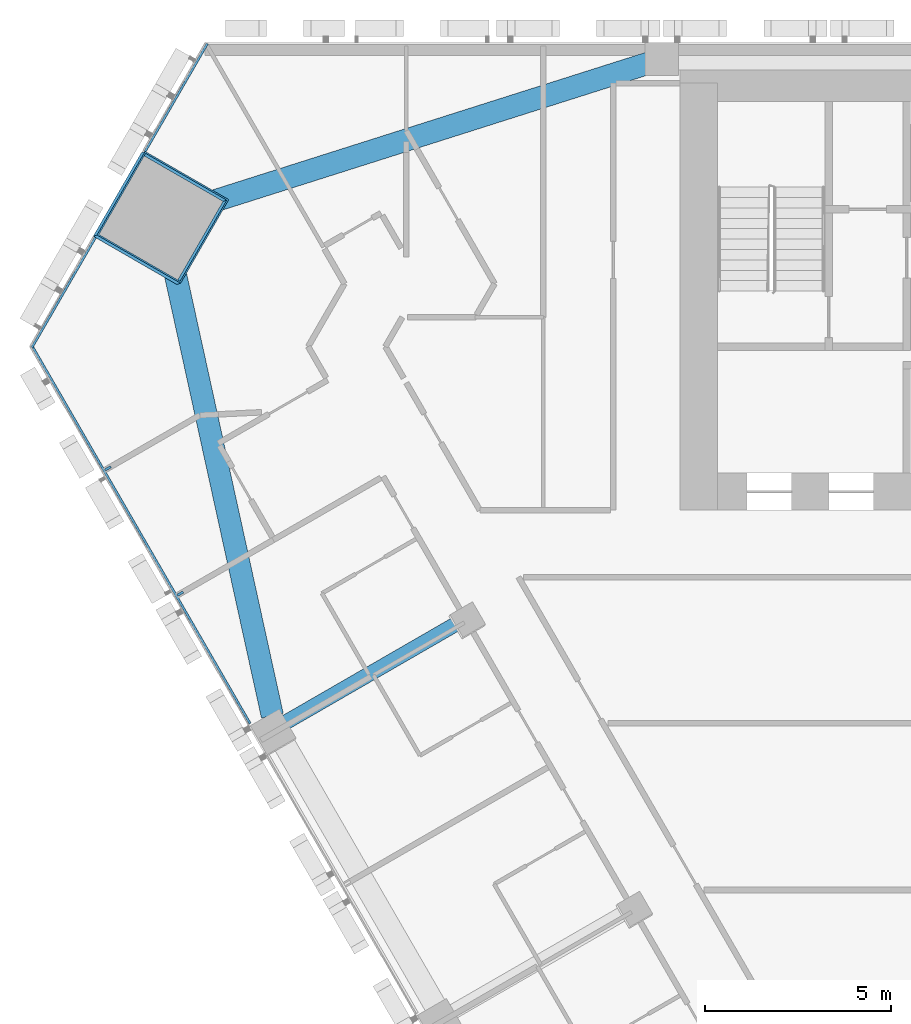
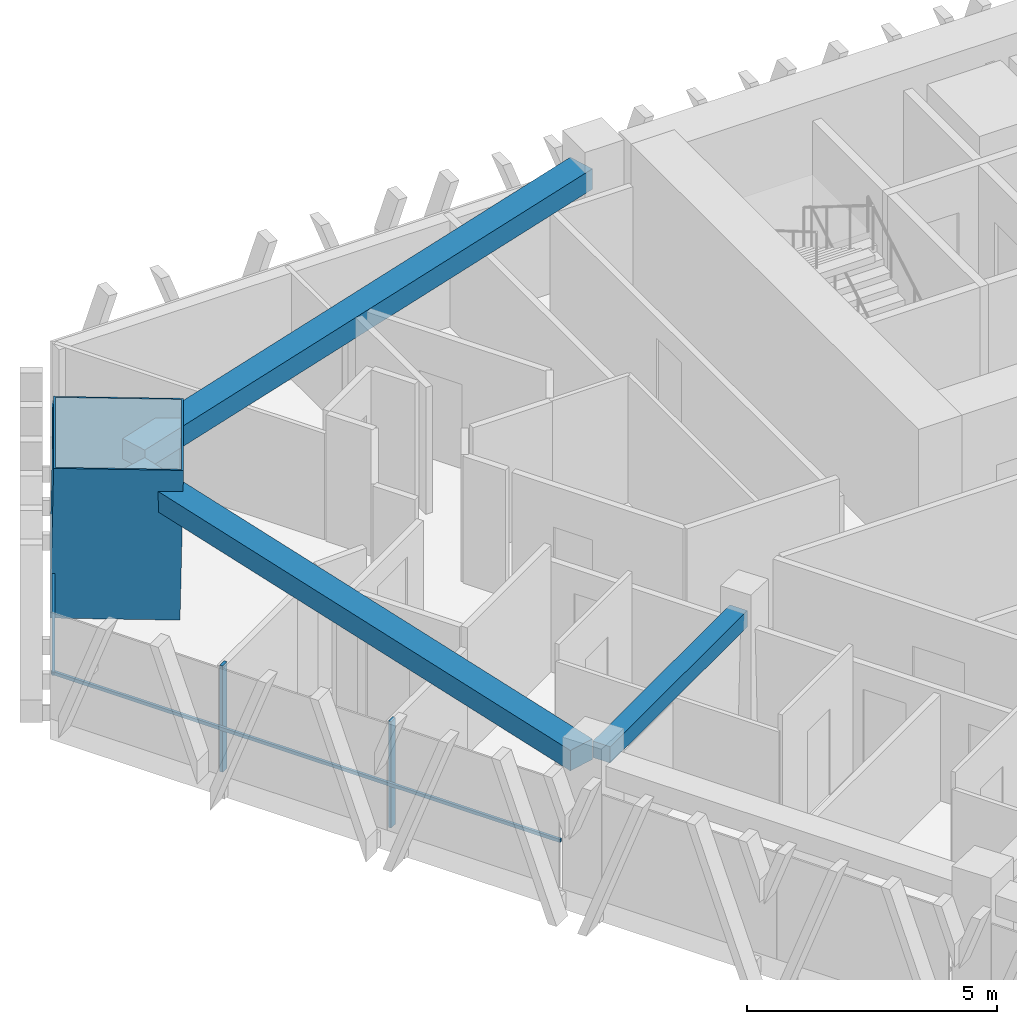
# One storey, part 5 of 17: 6 members, 3 beams, 2 elements without a shape of their own.
"""IFC4 building model written with IfcOpenShell, lengths in metres."""

from ifc_helpers import new_model, si_unit, direction, frame, origin, origin_2d, place, context, subcontext, project, spatial, rectangle, hollow_rectangle, extrude, material, layer, layer_set, material_profile, profile_set, type_object, element, aggregate, save


model = new_model("IFC4")

# Units and contexts
model_context = context("Model", 3, precision=1e-05, world=origin(), true_north=direction((0.0, 1.0)))
body_context = subcontext(model_context, "Body", "Model", "MODEL_VIEW")
ifc_project = project(units=[si_unit("LENGTHUNIT", "METRE"), si_unit("AREAUNIT", "SQUARE_METRE"), si_unit("VOLUMEUNIT", "CUBIC_METRE"), si_unit("PLANEANGLEUNIT", "RADIAN"), si_unit("MASSUNIT", "GRAM", prefix="KILO")], contexts=[model_context])

# Site, building, storey
site_placement = place(None, origin())
site = spatial("IfcSite", under=ifc_project, at=site_placement, CompositionType="ELEMENT")
building_placement = place(site_placement, origin())
building = spatial("IfcBuilding", under=site, at=building_placement, Name="Altiplano Prism Tower", CompositionType="ELEMENT")
storey_placement = place(building_placement, frame((0.0, 0.0, 52.199951171875)))
storey = spatial("IfcBuildingStorey", under=building, at=storey_placement, Name="L12", CompositionType="ELEMENT", Elevation=52.199951171875)

# Curtain wall, members
ifc_material_1 = material(Name="Aluminium and glass", Category="aluminium")
ifc_layer = layer(ifc_material_1, 0.280029296875)
ifc_layer_set = layer_set([ifc_layer], Name="Aluminium and glass")
curtain_wall_type = type_object("IfcCurtainWallType", Name="CW1 typical co-living unitised curtain wall", PredefinedType="NOTDEFINED", material=ifc_layer_set)
curtain_wall_1_placement = place(storey_placement, origin())
curtain_wall_1 = element("IfcCurtainWall", 1, at=curtain_wall_1_placement, inside=storey, type_object=curtain_wall_type, Name="CW1 curtain wall south-west face L12", PredefinedType="NOTDEFINED")
ifc_material_2 = material(Name="Aluminium", Category="aluminium")
ifc_material_profile_1 = material_profile(ifc_material_2, rectangle(XDim=0.179931640625, YDim=0.06494140625, at=origin_2d()), Name="CW1 mullion 65 x 180")
ifc_profile_set_1 = profile_set([ifc_material_profile_1], Name="Aluminium")
member_type_1 = type_object("IfcMemberType", Name="CW1 mullion 65 x 180", PredefinedType="MULLION", material=ifc_profile_set_1)
member_1_placement = place(storey_placement, frame((56.58984375, 93.52734375, 0.0), z_axis=(0.0, 0.0, 1.0), x_axis=(0.866025409151, 0.499999990704, 0.0)))
member_1 = element("IfcMember", 2, at=member_1_placement, type_object=member_type_1, Name="CW1 mullion", PredefinedType="MULLION", context=body_context, shape_type="SweptSolid", body=[
    extrude(rectangle(XDim=0.179931640625, YDim=0.06494140625, at=origin_2d()), origin(), (0.0, 0.0, 1.0), 2.60009765625),
])
member_2_placement = place(storey_placement, frame((58.537841796875, 90.1533203125, 0.0), z_axis=(0.0, 0.0, 1.0), x_axis=(0.866025409151, 0.499999990704, 0.0)))
member_2 = element("IfcMember", 3, at=member_2_placement, type_object=member_type_1, Name="CW1 mullion", PredefinedType="MULLION", context=body_context, shape_type="SweptSolid", body=[
    extrude(rectangle(XDim=0.179931640625, YDim=0.06494140625, at=origin_2d()), origin(), (0.0, 0.0, 1.0), 2.60009765625),
])

curtain_wall_2_placement = place(storey_placement, origin())
curtain_wall_2 = element("IfcCurtainWall", 4, at=curtain_wall_2_placement, inside=storey, type_object=curtain_wall_type, Name="CW1 curtain wall north-west chamfer L12", PredefinedType="NOTDEFINED")
ifc_material_profile_2 = material_profile(ifc_material_2, rectangle(XDim=0.06005859375, YDim=0.080078125, at=origin_2d()), Name="CW1 transom 80 x 60")
ifc_profile_set_2 = profile_set([ifc_material_profile_2], Name="Aluminium")
member_type_2 = type_object("IfcMemberType", Name="CW1 transom 80 x 60", PredefinedType="USERDEFINED", material=ifc_profile_set_2)
member_3_placement = place(storey_placement, frame((59.2685546875, 104.965087890625, 1.10009765625), z_axis=(-0.499978944582, -0.866037559794, 0.0), x_axis=(0.866037559794, -0.499978944582, 0.0)))
member_3 = element("IfcMember", 5, at=member_3_placement, type_object=member_type_2, Name="CW1 transom", ObjectType="TRANSOM", PredefinedType="USERDEFINED", context=body_context, shape_type="SweptSolid", body=[
    extrude(rectangle(XDim=0.06005859375, YDim=0.080078125, at=origin_2d()), origin(), (0.0, 0.0, 1.0), 3.350830078125),
])
member_4_placement = place(storey_placement, frame((56.25341796875, 99.742431640625, 1.10009765625), z_axis=(-0.49998117181, -0.866036273972, 0.0), x_axis=(0.866036273972, -0.49998117181, 0.0)))
member_4 = element("IfcMember", 6, at=member_4_placement, type_object=member_type_2, Name="CW1 transom", ObjectType="TRANSOM", PredefinedType="USERDEFINED", context=body_context, shape_type="SweptSolid", body=[
    extrude(rectangle(XDim=0.06005859375, YDim=0.080078125, at=origin_2d()), origin(), (0.0, 0.0, 1.0), 3.430908203125),
])
aggregate(curtain_wall_2, [member_3, member_4])

# Member
member_5_placement = place(storey_placement, frame((54.5380859375, 96.84130859375, 1.10009765625), z_axis=(0.499994354868, -0.866028662979, 0.0), x_axis=(0.866028662979, 0.499994354868, 0.0)))
member_5 = element("IfcMember", 7, at=member_5_placement, type_object=member_type_2, Name="CW1 transom", ObjectType="TRANSOM", PredefinedType="USERDEFINED", context=body_context, shape_type="SweptSolid", body=[
    extrude(rectangle(XDim=0.06005859375, YDim=0.080078125, at=origin_2d()), origin(), (0.0, 0.0, 1.0), 11.762451171875),
])

aggregate(curtain_wall_1, [member_1, member_2, member_5])

# Beams
ifc_material_3 = material(Name="Concrete C60/75", Category="concrete")
ifc_material_profile_3 = material_profile(ifc_material_3, rectangle(XDim=0.60009765625, YDim=0.5, at=origin_2d()), Name="Edge beam 600x500")
ifc_profile_set_3 = profile_set([ifc_material_profile_3], Name="Concrete C60/75")
beam_type_1 = type_object("IfcBeamType", Name="Edge beam 600x500", PredefinedType="SPANDREL", material=ifc_profile_set_3)
for number, where, z_axis, x_axis, name in (
    (8, (71.164306640625, 104.443359375, 2.85009765625), (-0.953118631641, -0.302596883689, 0.0), (0.302596883689, -0.953118631641, 0.0), "Edge beam P04-M0 L13"),
    (9, (58.167236328125, 99.846923828125, 2.85009765625), (0.214511612207, -0.976721438399, 0.0), (0.976721438399, 0.214511612207, 0.0), "Edge beam M0-P11 L13"),
):
    element("IfcBeam", number, at=place(storey_placement, frame(where, z_axis=z_axis, x_axis=x_axis)), inside=storey, type_object=beam_type_1, Name=name, PredefinedType="SPANDREL", context=body_context, shape_type="SweptSolid", body=[
        extrude(rectangle(XDim=0.60009765625, YDim=0.5, at=origin_2d()), origin(), (0.0, 0.0, 1.0), 13.28759765625),
    ])

# Member
ifc_material_4 = material(Name="Steel S460", Category="steel")
ifc_material_profile_4 = material_profile(ifc_material_4, hollow_rectangle(XDim=2.60009765625, YDim=2.60009765625, WallThickness=0.0400390625, at=origin_2d()), Name="Mega column tube 2600")
ifc_profile_set_4 = profile_set([ifc_material_profile_4], Name="Steel S460")
member_type_3 = type_object("IfcMemberType", Name="Mega column tube 2600", PredefinedType="POST", material=ifc_profile_set_4)
member_6_placement = place(storey_placement, frame((57.968505859375, 100.253173828125, 0.0), z_axis=(0.028401796786, 0.009286506348, 0.999553449666), x_axis=(-0.866201881135, 0.49929484702, 0.019973904391)))
element("IfcMember", 10, at=member_6_placement, inside=storey, type_object=member_type_3, Name="Mega column tube M0 L12", PredefinedType="POST", context=body_context, shape_type="SweptSolid", body=[
    extrude(hollow_rectangle(XDim=2.60009765625, YDim=2.60009765625, WallThickness=0.0400390625, at=origin_2d()), origin(), (0.0, 0.0, 1.0), 3.601806640625),
])

# Beam
ifc_material_profile_5 = material_profile(ifc_material_3, rectangle(XDim=0.39990234375, YDim=0.39990234375, at=origin_2d()), Name="Tie beam 400x400")
ifc_profile_set_5 = profile_set([ifc_material_profile_5], Name="Concrete C60/75")
beam_type_2 = type_object("IfcBeamType", Name="Tie beam 400x400", PredefinedType="BEAM", material=ifc_profile_set_5)
beam_placement = place(storey_placement, frame((66.13330078125, 89.434814453125, 2.900146484375), z_axis=(-0.866012292785, -0.50002270823, 0.0), x_axis=(0.50002270823, -0.866012292785, 0.0)))
element("IfcBeam", 11, at=beam_placement, inside=storey, type_object=beam_type_2, Name="Tie beam I11 L13", PredefinedType="BEAM", context=body_context, shape_type="SweptSolid", body=[
    extrude(rectangle(XDim=0.39990234375, YDim=0.39990234375, at=origin_2d()), origin(), (0.0, 0.0, 1.0), 5.489990234375),
])

save(model, "model.ifc")
